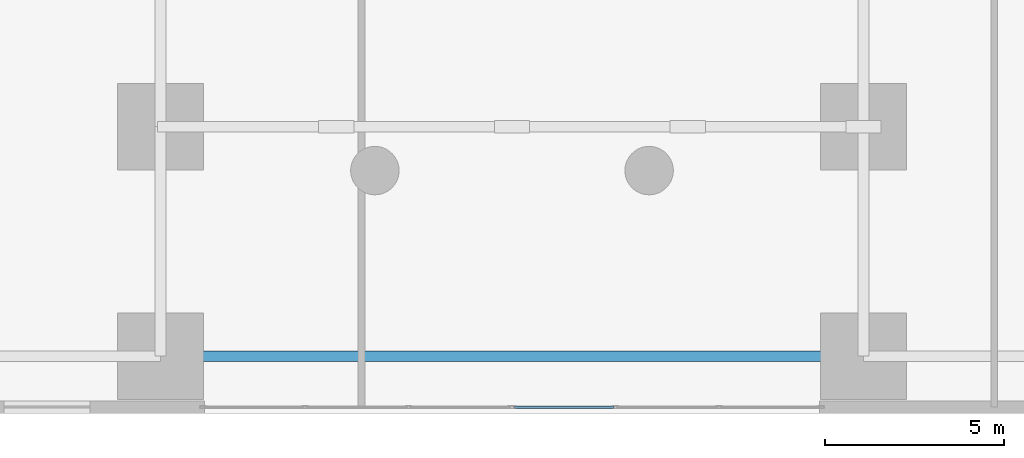
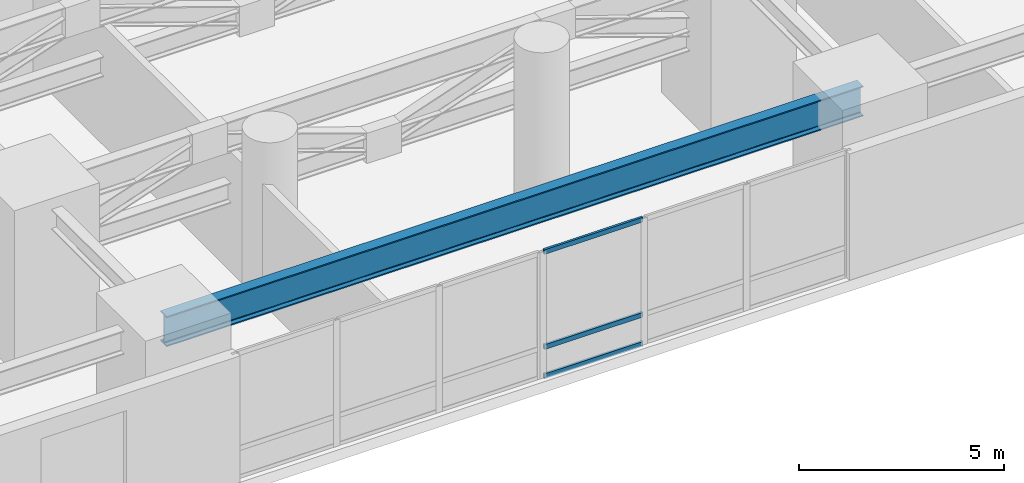
# One storey, part 5 of 17: 3 members, 1 beam, 1 element without a shape of its own.
"""IFC4 building model written with IfcOpenShell, lengths in metres."""

from ifc_helpers import new_model, si_unit, direction, frame, origin, origin_2d, place, context, subcontext, project, spatial, hollow_rectangle, i_section, extrude, material, layer, layer_set, material_profile, profile_set, type_object, element, aggregate, save


model = new_model("IFC4")

# Units and contexts
model_context = context("Model", 3, precision=1e-05, world=origin(), true_north=direction((0.0, 1.0)))
body_context = subcontext(model_context, "Body", "Model", "MODEL_VIEW")
ifc_project = project(units=[si_unit("LENGTHUNIT", "METRE"), si_unit("AREAUNIT", "SQUARE_METRE"), si_unit("VOLUMEUNIT", "CUBIC_METRE"), si_unit("PLANEANGLEUNIT", "RADIAN"), si_unit("MASSUNIT", "GRAM", prefix="KILO"), si_unit("THERMODYNAMICTEMPERATUREUNIT", "KELVIN"), si_unit("POWERUNIT", "WATT")], contexts=[model_context])

# Site, building, storey
site_placement = place(None, origin())
site = spatial("IfcSite", under=ifc_project, at=site_placement, CompositionType="ELEMENT")
building_placement = place(site_placement, origin())
building = spatial("IfcBuilding", under=site, at=building_placement, Name="Ocrelia Relay Tower", CompositionType="ELEMENT")
storey_placement = place(building_placement, frame((0.0, 0.0, 20.39990234375)))
storey = spatial("IfcBuildingStorey", under=building, at=storey_placement, Name="L04", CompositionType="ELEMENT", Elevation=20.39990234375)

# Beam
ifc_material_1 = material(Name="Steel S355", Category="steel")
ifc_material_profile_1 = material_profile(ifc_material_1, i_section(OverallWidth=0.300048828125, OverallDepth=0.89990234375, WebThickness=0.0185546875, FlangeThickness=0.034912109375, FilletRadius=0.030029296875, at=origin_2d()), Name="HEB 900")
ifc_profile_set_1 = profile_set([ifc_material_profile_1], Name="Steel S355")
beam_type = type_object("IfcBeamType", Name="BM-HEB900", PredefinedType="BEAM", material=ifc_profile_set_1)
beam_placement = place(storey_placement, frame((24.199951171875, 1.60009765625, 4.030029296875), z_axis=(1.0, 0.0, 0.0), x_axis=(0.0, 1.0, 0.0)))
element("IfcBeam", 1, at=beam_placement, inside=storey, type_object=beam_type, Name="L04 Portal Arch Span Transfer Girder G1", PredefinedType="BEAM", context=body_context, shape_type="SweptSolid", body=[
    extrude(i_section(OverallWidth=0.300048828125, OverallDepth=0.89990234375, WebThickness=0.0185546875, FlangeThickness=0.034912109375, FilletRadius=0.030029296875, at=origin_2d()), origin(), (0.0, 0.0, 1.0), 19.60009765625),
])

# Curtain wall, members
ifc_material_2 = material(Name="Aluminium and solar-control low-E glass", Category="aluminium")
ifc_layer = layer(ifc_material_2, 0.179931640625, Name="Aluminium and solar-control low-E glass")
ifc_layer_set = layer_set([ifc_layer], Name="Aluminium and solar-control low-E glass")
curtain_wall_type = type_object("IfcCurtainWallType", Name="CW-SYS-POD-GALL", PredefinedType="NOTDEFINED", material=ifc_layer_set)
curtain_wall_placement = place(storey_placement, origin())
curtain_wall = element("IfcCurtainWall", 2, at=curtain_wall_placement, inside=storey, type_object=curtain_wall_type, Name="L04 South Over-Arch Curtain Wall East", PredefinedType="NOTDEFINED")
ifc_material_3 = material(Name="Anodised bronze aluminium", Category="aluminium")
ifc_material_profile_2 = material_profile(ifc_material_3, hollow_rectangle(XDim=0.06494140625, YDim=0.139892578125, WallThickness=0.0048828125, at=origin_2d()), Name="CW-TRN-140x65")
ifc_profile_set_2 = profile_set([ifc_material_profile_2], Name="Anodised bronze aluminium")
member_type = type_object("IfcMemberType", Name="CW-SYS-POD-GALL-TRN", PredefinedType="USERDEFINED", material=ifc_profile_set_2)
member_1_placement = place(storey_placement, frame((34.070068359375, 0.179931640625, 0.03271484375), z_axis=(1.0, 0.0, 0.0), x_axis=(0.0, 1.0, 0.0)))
member_1 = element("IfcMember", 3, at=member_1_placement, type_object=member_type, Name="CW-PG transom 1.1", ObjectType="TRANSOM", PredefinedType="USERDEFINED", context=body_context, shape_type="SweptSolid", body=[
    extrude(hollow_rectangle(XDim=0.06494140625, YDim=0.139892578125, WallThickness=0.0048828125, at=origin_2d()), origin(), (0.0, 0.0, 1.0), 2.7783203125),
])
member_2_placement = place(storey_placement, frame((34.070068359375, 0.179931640625, 0.900146484375), z_axis=(1.0, 0.0, 0.0), x_axis=(0.0, 1.0, 0.0)))
member_2 = element("IfcMember", 4, at=member_2_placement, type_object=member_type, Name="CW-PG transom 1.2", ObjectType="TRANSOM", PredefinedType="USERDEFINED", context=body_context, shape_type="SweptSolid", body=[
    extrude(hollow_rectangle(XDim=0.06494140625, YDim=0.139892578125, WallThickness=0.0048828125, at=origin_2d()), origin(), (0.0, 0.0, 1.0), 2.7783203125),
])
member_3_placement = place(storey_placement, frame((34.070068359375, 0.179931640625, 3.7275390625), z_axis=(1.0, 0.0, 0.0), x_axis=(0.0, 1.0, 0.0)))
member_3 = element("IfcMember", 5, at=member_3_placement, type_object=member_type, Name="CW-PG transom 1.3", ObjectType="TRANSOM", PredefinedType="USERDEFINED", context=body_context, shape_type="SweptSolid", body=[
    extrude(hollow_rectangle(XDim=0.06494140625, YDim=0.139892578125, WallThickness=0.0048828125, at=origin_2d()), origin(), (0.0, 0.0, 1.0), 2.7783203125),
])
aggregate(curtain_wall, [member_1, member_2, member_3])

save(model, "model.ifc")
